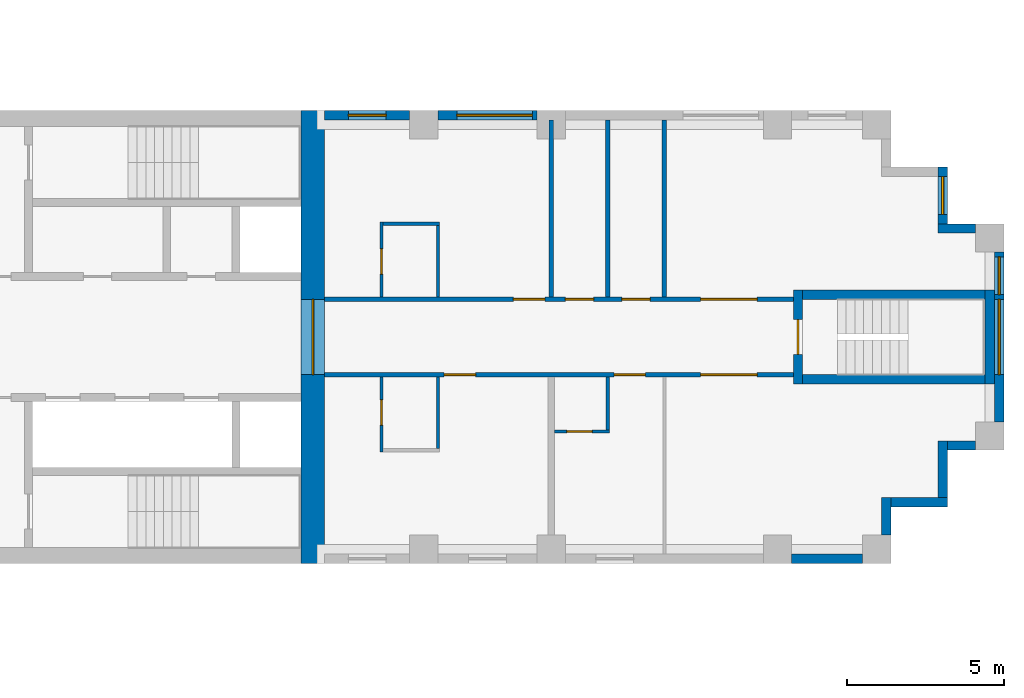
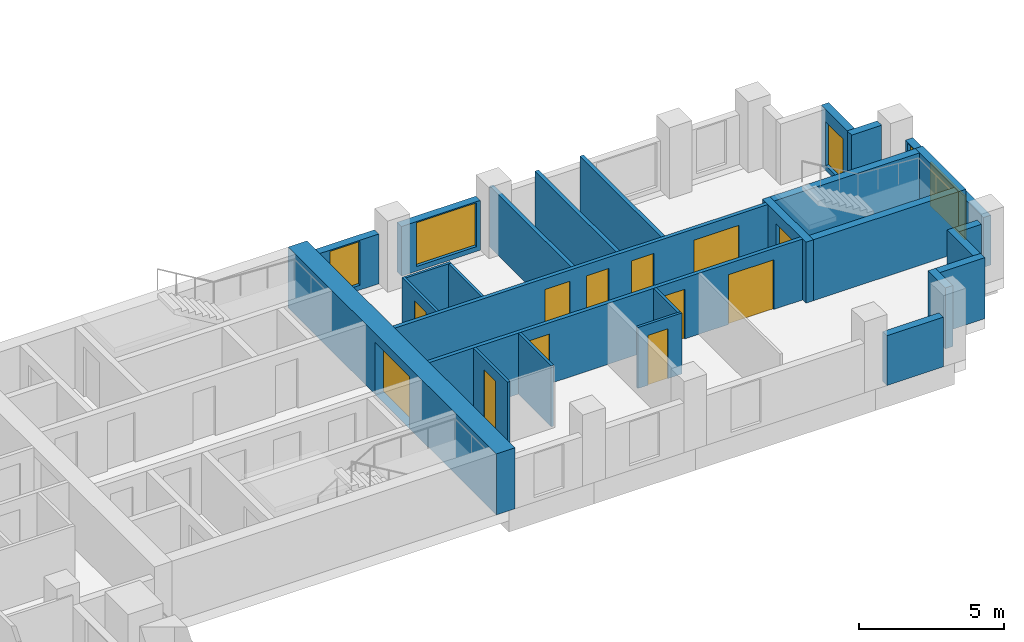
# One storey, part 10 of 15: 27 walls, 12 doors, 5 windows, 17 openings.
"""IFC4 building model written with IfcOpenShell, lengths in metres."""

from ifc_helpers import new_model, si_unit, direction, frame, frame_2d, origin, place, context, subcontext, project, spatial, rectangle, extrude, material, layer, layer_set, type_object, element, fill, save


model = new_model("IFC4")

# Units and contexts
model_context = context("Model", 3, precision=1e-05, world=origin(), true_north=direction((0.0, 1.0)))
body_context = subcontext(model_context, "Body", "Model", "MODEL_VIEW")
ifc_project = project(units=[si_unit("LENGTHUNIT", "METRE"), si_unit("AREAUNIT", "SQUARE_METRE"), si_unit("VOLUMEUNIT", "CUBIC_METRE"), si_unit("PLANEANGLEUNIT", "RADIAN"), si_unit("MASSUNIT", "GRAM", prefix="KILO")], contexts=[model_context])

# Site, building, storey
site_placement = place(None, origin())
site = spatial("IfcSite", under=ifc_project, at=site_placement, CompositionType="ELEMENT")
building_placement = place(site_placement, origin())
building = spatial("IfcBuilding", under=site, at=building_placement, Name="Fustian Cross Tower", CompositionType="ELEMENT")
storey_placement = place(building_placement, frame((0.0, 0.0, 53.699951171875)))
storey = spatial("IfcBuildingStorey", under=building, at=storey_placement, Name="L16", CompositionType="ELEMENT", Elevation=53.699951171875)

# Wall, openings, doors
ifc_material_1 = material(Name="Plasterboard on steel stud", Category="steel")
ifc_layer_1 = layer(ifc_material_1, 0.14990234375)
ifc_layer_set_1 = layer_set([ifc_layer_1], Name="Plasterboard on steel stud")
wall_type_1 = type_object("IfcWallType", Name="COMPARTMENT WALL 150 EI 60", PredefinedType="PARTITIONING", material=ifc_layer_set_1)
wall_1_placement = place(storey_placement, frame((21.60009765625, -1.199951171875, 0.0), z_axis=(0.0, 0.0, 1.0), x_axis=(1.0, 0.0, 0.0)))
wall_1 = element("IfcWall", 1, at=wall_1_placement, inside=storey, type_object=wall_type_1, Name="Partition 88", PredefinedType="PARTITIONING", context=body_context, shape_type="SweptSolid", body=[
    extrude(rectangle(XDim=14.89990234375, YDim=0.14990234375, at=frame_2d((7.449951171875, 0.0))), origin(), (0.0, 0.0, 1.0), 2.574951171875),
])
opening_1_placement = place(wall_1_placement, frame((3.800048828125, 0.0, 0.0)))
opening_1 = element("IfcOpeningElement", 2, at=opening_1_placement, cuts=wall_1, Name="Opening D09018", PredefinedType="OPENING", context=body_context, shape_type="SweptSolid", body=[
    extrude(rectangle(XDim=1.0, YDim=2.10009765625, at=frame_2d((0.5, 1.050048828125))), frame((0.0, 0.0849609375, 0.0), z_axis=(0.0, -1.0, 0.0), x_axis=(1.0, 0.0, 0.0)), (0.0, 0.0, 1.0), 0.169921875),
])
opening_2_placement = place(wall_1_placement, frame((9.199951171875, 0.0, 0.0)))
opening_2 = element("IfcOpeningElement", 3, at=opening_2_placement, cuts=wall_1, Name="Opening D09020", PredefinedType="OPENING", context=body_context, shape_type="SweptSolid", body=[
    extrude(rectangle(XDim=1.0, YDim=2.10009765625, at=frame_2d((0.5, 1.050048828125))), frame((0.0, 0.0849609375, 0.0), z_axis=(0.0, -1.0, 0.0), x_axis=(1.0, 0.0, 0.0)), (0.0, 0.0, 1.0), 0.169921875),
])
opening_3_placement = place(wall_1_placement, frame((11.949951171875, 0.0, 0.0)))
opening_3 = element("IfcOpeningElement", 4, at=opening_3_placement, cuts=wall_1, Name="Opening D09021", PredefinedType="OPENING", context=body_context, shape_type="SweptSolid", body=[
    extrude(rectangle(XDim=1.800048828125, YDim=2.10009765625, at=frame_2d((0.89990234375, 1.050048828125))), frame((0.0, 0.0849609375, 0.0), z_axis=(0.0, -1.0, 0.0), x_axis=(1.0, 0.0, 0.0)), (0.0, 0.0, 1.0), 0.169921875),
])
ifc_material_2 = material(Name="Timber fire door set", Category="wood")
door_type_1 = type_object("IfcDoorType", Name="FIRE DOUBLE DOOR 1800 FD30S", OperationType="DOUBLE_DOOR_DOUBLE_SWING", PredefinedType="DOOR", material=ifc_material_2)
door_1_placement = place(opening_3_placement, origin())
door_1 = element("IfcDoor", 5, at=door_1_placement, inside=storey, type_object=door_type_1, Name="Door D09021", OperationType="DOUBLE_DOOR_DOUBLE_SWING", OverallHeight=2.10009765625, OverallWidth=1.800048828125, PredefinedType="DOOR", context=body_context, shape_type="SweptSolid", body=[
    extrude(rectangle(XDim=1.800048828125, YDim=2.10009765625, at=frame_2d((0.89990234375, 1.050048828125))), frame((0.0, 0.02490234375, 0.0), z_axis=(0.0, -1.0, 0.0), x_axis=(1.0, 0.0, 0.0)), (0.0, 0.0, 1.0), 0.050048828125),
])
fill(opening_3, door_1)
ifc_material_3 = material(Name="Timber fire door set", Category="wood")
door_type_2 = type_object("IfcDoorType", Name="FIRE SWING DOOR 1000 FD30S", OperationType="SINGLE_SWING_LEFT", PredefinedType="DOOR", material=ifc_material_3)
door_2_placement = place(opening_1_placement, frame((1.0, 0.0, 0.0), z_axis=(0.0, 0.0, 1.0), x_axis=(-1.0, 0.0, 0.0)))
door_2 = element("IfcDoor", 6, at=door_2_placement, inside=storey, type_object=door_type_2, Name="Door D09018", OperationType="SINGLE_SWING_RIGHT", OverallHeight=2.10009765625, OverallWidth=1.0, PredefinedType="DOOR", context=body_context, shape_type="SweptSolid", body=[
    extrude(rectangle(XDim=1.0, YDim=2.10009765625, at=frame_2d((0.5, 1.050048828125))), frame((0.0, 0.02490234375, 0.0), z_axis=(0.0, -1.0, 0.0), x_axis=(1.0, 0.0, 0.0)), (0.0, 0.0, 1.0), 0.050048828125),
])
fill(opening_1, door_2)
door_3_placement = place(opening_2_placement, frame((1.0, 0.0, 0.0), z_axis=(0.0, 0.0, 1.0), x_axis=(-1.0, 0.0, 0.0)))
door_3 = element("IfcDoor", 7, at=door_3_placement, inside=storey, type_object=door_type_2, Name="Door D09020", OperationType="SINGLE_SWING_RIGHT", OverallHeight=2.10009765625, OverallWidth=1.0, PredefinedType="DOOR", context=body_context, shape_type="SweptSolid", body=[
    extrude(rectangle(XDim=1.0, YDim=2.10009765625, at=frame_2d((0.5, 1.050048828125))), frame((0.0, 0.02490234375, 0.0), z_axis=(0.0, -1.0, 0.0), x_axis=(1.0, 0.0, 0.0)), (0.0, 0.0, 1.0), 0.050048828125),
])
fill(opening_2, door_3)

wall_2_placement = place(storey_placement, frame((21.60009765625, 1.199951171875, 0.0), z_axis=(0.0, 0.0, 1.0), x_axis=(1.0, 0.0, 0.0)))
wall_2 = element("IfcWall", 8, at=wall_2_placement, inside=storey, type_object=wall_type_1, Name="Partition 89", PredefinedType="PARTITIONING", context=body_context, shape_type="SweptSolid", body=[
    extrude(rectangle(XDim=14.89990234375, YDim=0.14990234375, at=frame_2d((7.449951171875, 0.0))), origin(), (0.0, 0.0, 1.0), 2.574951171875),
])
opening_4_placement = place(wall_2_placement, frame((6.0, 0.0, 0.0)))
opening_4 = element("IfcOpeningElement", 9, at=opening_4_placement, cuts=wall_2, Name="Opening D09013", PredefinedType="OPENING", context=body_context, shape_type="SweptSolid", body=[
    extrude(rectangle(XDim=1.0, YDim=2.10009765625, at=frame_2d((0.5, 1.050048828125))), frame((0.0, 0.0849609375, 0.0), z_axis=(0.0, -1.0, 0.0), x_axis=(1.0, 0.0, 0.0)), (0.0, 0.0, 1.0), 0.169921875),
])
opening_5_placement = place(wall_2_placement, frame((7.64990234375, 0.0, 0.0)))
opening_5 = element("IfcOpeningElement", 10, at=opening_5_placement, cuts=wall_2, Name="Opening D09014", PredefinedType="OPENING", context=body_context, shape_type="SweptSolid", body=[
    extrude(rectangle(XDim=0.89990234375, YDim=2.10009765625, at=frame_2d((0.449951171875, 1.050048828125))), frame((0.0, 0.0849609375, 0.0), z_axis=(0.0, -1.0, 0.0), x_axis=(1.0, 0.0, 0.0)), (0.0, 0.0, 1.0), 0.169921875),
])
opening_6_placement = place(wall_2_placement, frame((9.449951171875, 0.0, 0.0)))
opening_6 = element("IfcOpeningElement", 11, at=opening_6_placement, cuts=wall_2, Name="Opening D09015", PredefinedType="OPENING", context=body_context, shape_type="SweptSolid", body=[
    extrude(rectangle(XDim=0.89990234375, YDim=2.10009765625, at=frame_2d((0.449951171875, 1.050048828125))), frame((0.0, 0.0849609375, 0.0), z_axis=(0.0, -1.0, 0.0), x_axis=(1.0, 0.0, 0.0)), (0.0, 0.0, 1.0), 0.169921875),
])
opening_7_placement = place(wall_2_placement, frame((11.949951171875, 0.0, 0.0)))
opening_7 = element("IfcOpeningElement", 12, at=opening_7_placement, cuts=wall_2, Name="Opening D09016", PredefinedType="OPENING", context=body_context, shape_type="SweptSolid", body=[
    extrude(rectangle(XDim=1.800048828125, YDim=2.10009765625, at=frame_2d((0.89990234375, 1.050048828125))), frame((0.0, 0.0849609375, 0.0), z_axis=(0.0, -1.0, 0.0), x_axis=(1.0, 0.0, 0.0)), (0.0, 0.0, 1.0), 0.169921875),
])
door_4_placement = place(opening_7_placement, frame((1.800048828125, 0.0, 0.0), z_axis=(0.0, 0.0, 1.0), x_axis=(-1.0, 0.0, 0.0)))
door_4 = element("IfcDoor", 13, at=door_4_placement, inside=storey, type_object=door_type_1, Name="Door D09016", OperationType="DOUBLE_DOOR_DOUBLE_SWING", OverallHeight=2.10009765625, OverallWidth=1.800048828125, PredefinedType="DOOR", context=body_context, shape_type="SweptSolid", body=[
    extrude(rectangle(XDim=1.800048828125, YDim=2.10009765625, at=frame_2d((0.89990234375, 1.050048828125))), frame((0.0, 0.02490234375, 0.0), z_axis=(0.0, -1.0, 0.0), x_axis=(1.0, 0.0, 0.0)), (0.0, 0.0, 1.0), 0.050048828125),
])
fill(opening_7, door_4)
door_5_placement = place(opening_4_placement, origin())
door_5 = element("IfcDoor", 14, at=door_5_placement, inside=storey, type_object=door_type_2, Name="Door D09013", OperationType="SINGLE_SWING_RIGHT", OverallHeight=2.10009765625, OverallWidth=1.0, PredefinedType="DOOR", context=body_context, shape_type="SweptSolid", body=[
    extrude(rectangle(XDim=1.0, YDim=2.10009765625, at=frame_2d((0.5, 1.050048828125))), frame((0.0, 0.02490234375, 0.0), z_axis=(0.0, -1.0, 0.0), x_axis=(1.0, 0.0, 0.0)), (0.0, 0.0, 1.0), 0.050048828125),
])
fill(opening_4, door_5)
ifc_material_4 = material(Name="Timber fire door set", Category="wood")
door_type_3 = type_object("IfcDoorType", Name="FIRE SWING DOOR 900 FD30S", OperationType="SINGLE_SWING_LEFT", PredefinedType="DOOR", material=ifc_material_4)
door_6_placement = place(opening_5_placement, origin())
door_6 = element("IfcDoor", 15, at=door_6_placement, inside=storey, type_object=door_type_3, Name="Door D09014", OperationType="SINGLE_SWING_RIGHT", OverallHeight=2.10009765625, OverallWidth=0.89990234375, PredefinedType="DOOR", context=body_context, shape_type="SweptSolid", body=[
    extrude(rectangle(XDim=0.89990234375, YDim=2.10009765625, at=frame_2d((0.449951171875, 1.050048828125))), frame((0.0, 0.02490234375, 0.0), z_axis=(0.0, -1.0, 0.0), x_axis=(1.0, 0.0, 0.0)), (0.0, 0.0, 1.0), 0.050048828125),
])
fill(opening_5, door_6)
door_7_placement = place(opening_6_placement, frame((0.89990234375, 0.0, 0.0), z_axis=(0.0, 0.0, 1.0), x_axis=(-1.0, 0.0, 0.0)))
door_7 = element("IfcDoor", 16, at=door_7_placement, inside=storey, type_object=door_type_3, Name="Door D09015", OperationType="SINGLE_SWING_LEFT", OverallHeight=2.10009765625, OverallWidth=0.89990234375, PredefinedType="DOOR", context=body_context, shape_type="SweptSolid", body=[
    extrude(rectangle(XDim=0.89990234375, YDim=2.10009765625, at=frame_2d((0.449951171875, 1.050048828125))), frame((0.0, 0.02490234375, 0.0), z_axis=(0.0, -1.0, 0.0), x_axis=(1.0, 0.0, 0.0)), (0.0, 0.0, 1.0), 0.050048828125),
])
fill(opening_6, door_7)

# Walls
for number, where, z_axis, x_axis, name in (
    (17, (28.800048828125, 1.27490234375, 0.0), (0.0, 0.0, 1.0), (0.0, 1.0, 0.0), "Partition 98"),
    (18, (30.60009765625, 1.27490234375, 0.0), (0.0, 0.0, 1.0), (0.0, 1.0, 0.0), "Partition 100"),
    (19, (32.39990234375, 1.27490234375, 0.0), (0.0, 0.0, 1.0), (0.0, 1.0, 0.0), "Partition 102"),
):
    element("IfcWall", number, at=place(storey_placement, frame(where, z_axis=z_axis, x_axis=x_axis)), inside=storey, type_object=wall_type_1, Name=name, PredefinedType="PARTITIONING", context=body_context, shape_type="SweptSolid", body=[
        extrude(rectangle(XDim=5.625, YDim=0.14990234375, at=frame_2d((2.8125, 0.0))), origin(), (0.0, 0.0, 1.0), 2.574951171875),
    ])

# Wall, opening, door
ifc_material_5 = material(Name="Concrete C80/95", Category="concrete")
ifc_layer_2 = layer(ifc_material_5, 0.75)
ifc_layer_set_2 = layer_set([ifc_layer_2], Name="Concrete C80/95")
wall_type_2 = type_object("IfcWallType", Name="CORE END WALL 750 C80/95", PredefinedType="SHEAR", material=ifc_layer_set_2)
wall_3_placement = place(storey_placement, frame((21.22509765625, -7.199951171875, 0.0), z_axis=(0.0, 0.0, 1.0), x_axis=(0.0, 1.0, 0.0)))
wall_3 = element("IfcWall", 20, at=wall_3_placement, inside=storey, type_object=wall_type_2, Name="Core end wall", PredefinedType="SHEAR", context=body_context, shape_type="SweptSolid", body=[
    extrude(rectangle(XDim=14.39990234375, YDim=0.75, at=frame_2d((7.199951171875, 0.0))), origin(), (0.0, 0.0, 1.0), 2.574951171875),
])
opening_8_placement = place(wall_3_placement, frame((6.0, 0.0, 0.0)))
opening_8 = element("IfcOpeningElement", 21, at=opening_8_placement, cuts=wall_3, Name="Opening CD-06-13", PredefinedType="OPENING", context=body_context, shape_type="SweptSolid", body=[
    extrude(rectangle(XDim=2.39990234375, YDim=2.199951171875, at=frame_2d((1.199951171875, 1.10009765625))), frame((0.0, 0.385009765625, 0.0), z_axis=(0.0, -1.0, 0.0), x_axis=(1.0, 0.0, 0.0)), (0.0, 0.0, 1.0), 0.77001953125),
])
ifc_material_6 = material(Name="Steel", Category="steel")
door_type_4 = type_object("IfcDoorType", Name="FIRE DOOR FD30S DOUBLE 2400X2200", OperationType="DOUBLE_DOOR_DOUBLE_SWING", PredefinedType="DOOR", material=ifc_material_6)
door_8_placement = place(opening_8_placement, origin())
door_8 = element("IfcDoor", 22, at=door_8_placement, inside=storey, type_object=door_type_4, Name="Core door CD-06-13", OperationType="DOUBLE_DOOR_DOUBLE_SWING", OverallHeight=2.199951171875, OverallWidth=2.39990234375, PredefinedType="DOOR", context=body_context, shape_type="SweptSolid", body=[
    extrude(rectangle(XDim=2.39990234375, YDim=2.199951171875, at=frame_2d((1.199951171875, 1.10009765625))), frame((0.0, 0.02490234375, 0.0), z_axis=(0.0, -1.0, 0.0), x_axis=(1.0, 0.0, 0.0)), (0.0, 0.0, 1.0), 0.050048828125),
])
fill(opening_8, door_8)

ifc_material_7 = material(Name="Plasterboard on steel stud", Category="steel")
ifc_layer_3 = layer(ifc_material_7, 0.10009765625)
ifc_layer_set_3 = layer_set([ifc_layer_3], Name="Plasterboard on steel stud")
wall_type_3 = type_object("IfcWallType", Name="PARTITION 100 STUD", PredefinedType="PARTITIONING", material=ifc_layer_set_3)
wall_4_placement = place(storey_placement, frame((23.39990234375, -3.64990234375, 0.0), z_axis=(0.0, 0.0, 1.0), x_axis=(0.0, 1.0, 0.0)))
wall_4 = element("IfcWall", 23, at=wall_4_placement, inside=storey, type_object=wall_type_3, Name="Partition 90", PredefinedType="PARTITIONING", context=body_context, shape_type="SweptSolid", body=[
    extrude(rectangle(XDim=2.375, YDim=0.10009765625, at=frame_2d((1.1875, 0.0))), origin(), (0.0, 0.0, 1.0), 2.574951171875),
])
opening_9_placement = place(wall_4_placement, frame((0.85009765625, 0.0, 0.0)))
opening_9 = element("IfcOpeningElement", 24, at=opening_9_placement, cuts=wall_4, Name="Opening D09017", PredefinedType="OPENING", context=body_context, shape_type="SweptSolid", body=[
    extrude(rectangle(XDim=0.800048828125, YDim=2.10009765625, at=frame_2d((0.39990234375, 1.050048828125))), frame((0.0, 0.06005859375, 0.0), z_axis=(0.0, -1.0, 0.0), x_axis=(1.0, 0.0, 0.0)), (0.0, 0.0, 1.0), 0.1201171875),
])
ifc_material_8 = material(Name="Painted timber", Category="wood")
door_type_5 = type_object("IfcDoorType", Name="SWING DOOR 800", OperationType="SINGLE_SWING_LEFT", PredefinedType="DOOR", material=ifc_material_8)
door_9_placement = place(opening_9_placement, frame((0.800048828125, 0.0, 0.0), z_axis=(0.0, 0.0, 1.0), x_axis=(-1.0, 0.0, 0.0)))
door_9 = element("IfcDoor", 25, at=door_9_placement, inside=storey, type_object=door_type_5, Name="Door D09017", OperationType="SINGLE_SWING_RIGHT", OverallHeight=2.10009765625, OverallWidth=0.800048828125, PredefinedType="DOOR", context=body_context, shape_type="SweptSolid", body=[
    extrude(rectangle(XDim=0.800048828125, YDim=2.10009765625, at=frame_2d((0.39990234375, 1.050048828125))), frame((0.0, 0.02490234375, 0.0), z_axis=(0.0, -1.0, 0.0), x_axis=(1.0, 0.0, 0.0)), (0.0, 0.0, 1.0), 0.050048828125),
])
fill(opening_9, door_9)

wall_5_placement = place(storey_placement, frame((23.39990234375, 1.27490234375, 0.0), z_axis=(0.0, 0.0, 1.0), x_axis=(0.0, 1.0, 0.0)))
wall_5 = element("IfcWall", 26, at=wall_5_placement, inside=storey, type_object=wall_type_3, Name="Partition 92", PredefinedType="PARTITIONING", context=body_context, shape_type="SweptSolid", body=[
    extrude(rectangle(XDim=2.375, YDim=0.10009765625, at=frame_2d((1.1875, 0.0))), origin(), (0.0, 0.0, 1.0), 2.574951171875),
])
opening_10_placement = place(wall_5_placement, frame((0.72509765625, 0.0, 0.0)))
opening_10 = element("IfcOpeningElement", 27, at=opening_10_placement, cuts=wall_5, Name="Opening D09012", PredefinedType="OPENING", context=body_context, shape_type="SweptSolid", body=[
    extrude(rectangle(XDim=0.800048828125, YDim=2.10009765625, at=frame_2d((0.39990234375, 1.050048828125))), frame((0.0, 0.06005859375, 0.0), z_axis=(0.0, -1.0, 0.0), x_axis=(1.0, 0.0, 0.0)), (0.0, 0.0, 1.0), 0.1201171875),
])
door_10_placement = place(opening_10_placement, frame((0.800048828125, 0.0, 0.0), z_axis=(0.0, 0.0, 1.0), x_axis=(-1.0, 0.0, 0.0)))
door_10 = element("IfcDoor", 28, at=door_10_placement, inside=storey, type_object=door_type_5, Name="Door D09012", OperationType="SINGLE_SWING_RIGHT", OverallHeight=2.10009765625, OverallWidth=0.800048828125, PredefinedType="DOOR", context=body_context, shape_type="SweptSolid", body=[
    extrude(rectangle(XDim=0.800048828125, YDim=2.10009765625, at=frame_2d((0.39990234375, 1.050048828125))), frame((0.0, 0.02490234375, 0.0), z_axis=(0.0, -1.0, 0.0), x_axis=(1.0, 0.0, 0.0)), (0.0, 0.0, 1.0), 0.050048828125),
])
fill(opening_10, door_10)

# Walls
wall_6_placement = place(storey_placement, frame((23.449951171875, 3.60009765625, 0.0), z_axis=(0.0, 0.0, 1.0), x_axis=(1.0, 0.0, 0.0)))
element("IfcWall", 29, at=wall_6_placement, inside=storey, type_object=wall_type_3, Name="Partition 93", PredefinedType="PARTITIONING", context=body_context, shape_type="SweptSolid", body=[
    extrude(rectangle(XDim=1.800048828125, YDim=0.10009765625, at=frame_2d((0.89990234375, 0.0))), origin(), (0.0, 0.0, 1.0), 2.574951171875),
])
for number, where, z_axis, x_axis, name in (
    (30, (25.199951171875, -3.550048828125, 0.0), (0.0, 0.0, 1.0), (0.0, 1.0, 0.0), "Partition 94"),
    (31, (25.199951171875, 1.27490234375, 0.0), (0.0, 0.0, 1.0), (0.0, 1.0, 0.0), "Partition 95"),
):
    element("IfcWall", number, at=place(storey_placement, frame(where, z_axis=z_axis, x_axis=x_axis)), inside=storey, type_object=wall_type_3, Name=name, PredefinedType="PARTITIONING", context=body_context, shape_type="SweptSolid", body=[
        extrude(rectangle(XDim=2.275146484375, YDim=0.10009765625, at=frame_2d((1.1376953125, 0.0))), origin(), (0.0, 0.0, 1.0), 2.574951171875),
    ])

# Wall, opening, door
wall_7_placement = place(storey_placement, frame((28.89990234375, -3.0, 0.0), z_axis=(0.0, 0.0, 1.0), x_axis=(1.0, 0.0, 0.0)))
wall_7 = element("IfcWall", 32, at=wall_7_placement, inside=storey, type_object=wall_type_3, Name="Partition 97", PredefinedType="PARTITIONING", context=body_context, shape_type="SweptSolid", body=[
    extrude(rectangle(XDim=1.75, YDim=0.10009765625, at=frame_2d((0.875, 0.0))), origin(), (0.0, 0.0, 1.0), 2.574951171875),
])
opening_11_placement = place(wall_7_placement, frame((0.39990234375, 0.0, 0.0)))
opening_11 = element("IfcOpeningElement", 33, at=opening_11_placement, cuts=wall_7, Name="Opening D09019", PredefinedType="OPENING", context=body_context, shape_type="SweptSolid", body=[
    extrude(rectangle(XDim=0.800048828125, YDim=2.10009765625, at=frame_2d((0.39990234375, 1.050048828125))), frame((0.0, 0.06005859375, 0.0), z_axis=(0.0, -1.0, 0.0), x_axis=(1.0, 0.0, 0.0)), (0.0, 0.0, 1.0), 0.1201171875),
])
door_11_placement = place(opening_11_placement, origin())
door_11 = element("IfcDoor", 34, at=door_11_placement, inside=storey, type_object=door_type_5, Name="Door D09019", OperationType="SINGLE_SWING_RIGHT", OverallHeight=2.10009765625, OverallWidth=0.800048828125, PredefinedType="DOOR", context=body_context, shape_type="SweptSolid", body=[
    extrude(rectangle(XDim=0.800048828125, YDim=2.10009765625, at=frame_2d((0.39990234375, 1.050048828125))), frame((0.0, 0.02490234375, 0.0), z_axis=(0.0, -1.0, 0.0), x_axis=(1.0, 0.0, 0.0)), (0.0, 0.0, 1.0), 0.050048828125),
])
fill(opening_11, door_11)

# Wall
wall_8_placement = place(storey_placement, frame((30.60009765625, -2.949951171875, 0.0), z_axis=(0.0, 0.0, 1.0), x_axis=(0.0, 1.0, 0.0)))
element("IfcWall", 35, at=wall_8_placement, inside=storey, type_object=wall_type_3, Name="Partition 99", PredefinedType="PARTITIONING", context=body_context, shape_type="SweptSolid", body=[
    extrude(rectangle(XDim=1.675048828125, YDim=0.10009765625, at=frame_2d((0.83740234375, 0.0))), origin(), (0.0, 0.0, 1.0), 2.574951171875),
])

# Wall, opening, door
ifc_material_9 = material(Name="Concrete C50/60", Category="concrete")
ifc_layer_4 = layer(ifc_material_9, 0.300048828125)
ifc_layer_set_4 = layer_set([ifc_layer_4], Name="Concrete C50/60")
wall_type_4 = type_object("IfcWallType", Name="STAIR ENCLOSURE WALL 300 C50/60", PredefinedType="SHEAR", material=ifc_layer_set_4)
wall_9_placement = place(storey_placement, frame((36.64990234375, -1.5, 0.0), z_axis=(0.0, 0.0, 1.0), x_axis=(0.0, 1.0, 0.0)))
wall_9 = element("IfcWall", 36, at=wall_9_placement, inside=storey, type_object=wall_type_4, Name="Stair enclosure wall", PredefinedType="SHEAR", context=body_context, shape_type="SweptSolid", body=[
    extrude(rectangle(XDim=3.0, YDim=0.300048828125, at=frame_2d((1.5, 0.0))), origin(), (0.0, 0.0, 1.0), 2.574951171875),
])
opening_12_placement = place(wall_9_placement, frame((0.949951171875, 0.0, 0.0)))
opening_12 = element("IfcOpeningElement", 37, at=opening_12_placement, cuts=wall_9, Name="Opening CD-06-33", PredefinedType="OPENING", context=body_context, shape_type="SweptSolid", body=[
    extrude(rectangle(XDim=1.10009765625, YDim=2.10009765625, at=frame_2d((0.550048828125, 1.050048828125))), frame((0.0, 0.159912109375, 0.0), z_axis=(0.0, -1.0, 0.0), x_axis=(1.0, 0.0, 0.0)), (0.0, 0.0, 1.0), 0.320068359375),
])
ifc_material_10 = material(Name="Steel", Category="steel")
door_type_6 = type_object("IfcDoorType", Name="FIRE DOOR FD60S 1100X2100", OperationType="SINGLE_SWING_LEFT", PredefinedType="DOOR", material=ifc_material_10)
door_12_placement = place(opening_12_placement, frame((1.10009765625, 0.0, 0.0), z_axis=(0.0, 0.0, 1.0), x_axis=(-1.0, 0.0, 0.0)))
door_12 = element("IfcDoor", 38, at=door_12_placement, inside=storey, type_object=door_type_6, Name="Core door CD-06-33", OperationType="SINGLE_SWING_RIGHT", OverallHeight=2.10009765625, OverallWidth=1.10009765625, PredefinedType="DOOR", context=body_context, shape_type="SweptSolid", body=[
    extrude(rectangle(XDim=1.10009765625, YDim=2.10009765625, at=frame_2d((0.550048828125, 1.050048828125))), frame((0.0, 0.02490234375, 0.0), z_axis=(0.0, -1.0, 0.0), x_axis=(1.0, 0.0, 0.0)), (0.0, 0.0, 1.0), 0.050048828125),
])
fill(opening_12, door_12)

# Walls
wall_10_placement = place(storey_placement, frame((42.75, -1.5, 0.0), z_axis=(0.0, 0.0, 1.0), x_axis=(0.0, 1.0, 0.0)))
element("IfcWall", 39, at=wall_10_placement, inside=storey, type_object=wall_type_4, Name="Stair enclosure wall", PredefinedType="SHEAR", context=body_context, shape_type="SweptSolid", body=[
    extrude(rectangle(XDim=3.0, YDim=0.300048828125, at=frame_2d((1.5, 0.0))), origin(), (0.0, 0.0, 1.0), 2.574951171875),
])
for number, where, z_axis, x_axis, name in (
    (40, (36.800048828125, -1.35009765625, 0.0), (0.0, 0.0, 1.0), (1.0, 0.0, 0.0), "Stair enclosure wall"),
    (41, (36.800048828125, 1.35009765625, 0.0), (0.0, 0.0, 1.0), (1.0, 0.0, 0.0), "Stair enclosure wall"),
):
    element("IfcWall", number, at=place(storey_placement, frame(where, z_axis=z_axis, x_axis=x_axis)), inside=storey, type_object=wall_type_4, Name=name, PredefinedType="SHEAR", context=body_context, shape_type="SweptSolid", body=[
        extrude(rectangle(XDim=5.800048828125, YDim=0.300048828125, at=frame_2d((2.89990234375, 0.0))), origin(), (0.0, 0.0, 1.0), 2.574951171875),
    ])
ifc_material_11 = material(Name="Dark aluminium cladding on insulated backing wall", Category="aluminium")
ifc_layer_5 = layer(ifc_material_11, 0.300048828125)
ifc_layer_set_5 = layer_set([ifc_layer_5], Name="Dark aluminium cladding on insulated backing wall")
wall_type_5 = type_object("IfcWallType", Name="XW1 EXTERNAL WALL 300", PredefinedType="SOLIDWALL", material=ifc_layer_set_5)
wall_11_placement = place(storey_placement, frame((36.449951171875, -7.050048828125, 0.0), z_axis=(0.0, 0.0, 1.0), x_axis=(1.0, 0.0, 0.0)))
element("IfcWall", 42, at=wall_11_placement, inside=storey, type_object=wall_type_5, Name="External wall", PredefinedType="SOLIDWALL", context=body_context, shape_type="SweptSolid", body=[
    extrude(rectangle(XDim=2.25, YDim=0.300048828125, at=frame_2d((1.125, 0.0))), origin(), (0.0, 0.0, 1.0), 2.10009765625),
])
wall_12_placement = place(storey_placement, frame((39.449951171875, -6.300048828125, 0.0), z_axis=(0.0, 0.0, 1.0), x_axis=(0.0, 1.0, 0.0)))
element("IfcWall", 43, at=wall_12_placement, inside=storey, type_object=wall_type_5, Name="External wall", PredefinedType="SOLIDWALL", context=body_context, shape_type="SweptSolid", body=[
    extrude(rectangle(XDim=1.199951171875, YDim=0.300048828125, at=frame_2d((0.60009765625, 0.0))), origin(), (0.0, 0.0, 1.0), 2.574951171875),
])
wall_13_placement = place(storey_placement, frame((39.60009765625, -5.25, 0.0), z_axis=(0.0, 0.0, 1.0), x_axis=(1.0, 0.0, 0.0)))
element("IfcWall", 44, at=wall_13_placement, inside=storey, type_object=wall_type_5, Name="External wall", PredefinedType="SOLIDWALL", context=body_context, shape_type="SweptSolid", body=[
    extrude(rectangle(XDim=1.7998046875, YDim=0.300048828125, at=frame_2d((0.89990234375, 0.0))), origin(), (0.0, 0.0, 1.0), 2.574951171875),
])
wall_14_placement = place(storey_placement, frame((41.25, -5.10009765625, 0.0), z_axis=(0.0, 0.0, 1.0), x_axis=(0.0, 1.0, 0.0)))
element("IfcWall", 45, at=wall_14_placement, inside=storey, type_object=wall_type_5, Name="External wall", PredefinedType="SOLIDWALL", context=body_context, shape_type="SweptSolid", body=[
    extrude(rectangle(XDim=1.800048828125, YDim=0.300048828125, at=frame_2d((0.89990234375, 0.0))), origin(), (0.0, 0.0, 1.0), 2.574951171875),
])
wall_15_placement = place(storey_placement, frame((41.39990234375, -3.449951171875, 0.0), z_axis=(0.0, 0.0, 1.0), x_axis=(1.0, 0.0, 0.0)))
element("IfcWall", 46, at=wall_15_placement, inside=storey, type_object=wall_type_5, Name="External wall", PredefinedType="SOLIDWALL", context=body_context, shape_type="SweptSolid", body=[
    extrude(rectangle(XDim=0.900146484375, YDim=0.300048828125, at=frame_2d((0.4501953125, 0.0))), origin(), (0.0, 0.0, 1.0), 2.574951171875),
])

# Wall, openings, windows
wall_16_placement = place(storey_placement, frame((43.050048828125, -2.699951171875, 0.0), z_axis=(0.0, 0.0, 1.0), x_axis=(0.0, 1.0, 0.0)))
wall_16 = element("IfcWall", 47, at=wall_16_placement, inside=storey, type_object=wall_type_5, Name="External wall", PredefinedType="SOLIDWALL", context=body_context, shape_type="SweptSolid", body=[
    extrude(rectangle(XDim=5.39990234375, YDim=0.300048828125, at=frame_2d((2.699951171875, 0.0))), origin(), (0.0, 0.0, 1.0), 2.10009765625),
])
opening_13_placement = place(wall_16_placement, frame((1.5, 0.0, 0.199951171875)))
opening_13 = element("IfcOpeningElement", 48, at=opening_13_placement, cuts=wall_16, Name="Opening WN1", PredefinedType="OPENING", context=body_context, shape_type="SweptSolid", body=[
    extrude(rectangle(XDim=2.39990234375, YDim=1.85009765625, at=frame_2d((1.199951171875, 0.925048828125))), frame((0.0, 0.159912109375, 0.0), z_axis=(0.0, -1.0, 0.0), x_axis=(1.0, 0.0, 0.0)), (0.0, 0.0, 1.0), 0.320068359375),
])
opening_14_placement = place(wall_16_placement, frame((4.050048828125, 0.0, 0.199951171875)))
opening_14 = element("IfcOpeningElement", 49, at=opening_14_placement, cuts=wall_16, Name="Opening WN3", PredefinedType="OPENING", context=body_context, shape_type="SweptSolid", body=[
    extrude(rectangle(XDim=1.199951171875, YDim=1.85009765625, at=frame_2d((0.60009765625, 0.925048828125))), frame((0.0, 0.159912109375, 0.0), z_axis=(0.0, -1.0, 0.0), x_axis=(1.0, 0.0, 0.0)), (0.0, 0.0, 1.0), 0.320068359375),
])
ifc_material_12 = material(Name="Dark anodised aluminium and double glazing", Category="aluminium")
window_type_1 = type_object("IfcWindowType", Name="WN1 WINDOW 2400X1850", PartitioningType="SINGLE_PANEL", PredefinedType="WINDOW", material=ifc_material_12)
window_1_placement = place(opening_13_placement, origin())
window_1 = element("IfcWindow", 50, at=window_1_placement, inside=storey, type_object=window_type_1, Name="Window", OverallHeight=1.85009765625, OverallWidth=2.39990234375, PartitioningType="SINGLE_PANEL", PredefinedType="WINDOW", context=body_context, shape_type="SweptSolid", body=[
    extrude(rectangle(XDim=2.39990234375, YDim=1.85009765625, at=frame_2d((1.199951171875, 0.925048828125))), frame((0.0, 0.030029296875, 0.0), z_axis=(0.0, -1.0, 0.0), x_axis=(1.0, 0.0, 0.0)), (0.0, 0.0, 1.0), 0.06005859375),
])
fill(opening_13, window_1)
ifc_material_13 = material(Name="Dark anodised aluminium and double glazing", Category="aluminium")
window_type_2 = type_object("IfcWindowType", Name="WN3 WINDOW 1200X1850", PartitioningType="SINGLE_PANEL", PredefinedType="WINDOW", material=ifc_material_13)
window_2_placement = place(opening_14_placement, origin())
window_2 = element("IfcWindow", 51, at=window_2_placement, inside=storey, type_object=window_type_2, Name="Window", OverallHeight=1.85009765625, OverallWidth=1.199951171875, PartitioningType="SINGLE_PANEL", PredefinedType="WINDOW", context=body_context, shape_type="SweptSolid", body=[
    extrude(rectangle(XDim=1.199951171875, YDim=1.85009765625, at=frame_2d((0.60009765625, 0.925048828125))), frame((0.0, 0.030029296875, 0.0), z_axis=(0.0, -1.0, 0.0), x_axis=(1.0, 0.0, 0.0)), (0.0, 0.0, 1.0), 0.06005859375),
])
fill(opening_14, window_2)

# Wall
wall_17_placement = place(storey_placement, frame((42.300048828125, 3.449951171875, 0.0), z_axis=(0.0, 0.0, 1.0), x_axis=(-1.0, 0.0, 0.0)))
element("IfcWall", 52, at=wall_17_placement, inside=storey, type_object=wall_type_5, Name="External wall", PredefinedType="SOLIDWALL", context=body_context, shape_type="SweptSolid", body=[
    extrude(rectangle(XDim=1.199951171875, YDim=0.300048828125, at=frame_2d((0.60009765625, 0.0))), origin(), (0.0, 0.0, 1.0), 2.574951171875),
])

# Wall, opening, window
wall_18_placement = place(storey_placement, frame((41.25, 3.60009765625, 0.0), z_axis=(0.0, 0.0, 1.0), x_axis=(0.0, 1.0, 0.0)))
wall_18 = element("IfcWall", 53, at=wall_18_placement, inside=storey, type_object=wall_type_5, Name="External wall", PredefinedType="SOLIDWALL", context=body_context, shape_type="SweptSolid", body=[
    extrude(rectangle(XDim=1.7998046875, YDim=0.300048828125, at=frame_2d((0.89990234375, 0.0))), origin(), (0.0, 0.0, 1.0), 2.574951171875),
])
opening_15_placement = place(wall_18_placement, frame((0.300048828125, 0.0, 0.199951171875)))
opening_15 = element("IfcOpeningElement", 54, at=opening_15_placement, cuts=wall_18, Name="Opening WN3", PredefinedType="OPENING", context=body_context, shape_type="SweptSolid", body=[
    extrude(rectangle(XDim=1.199951171875, YDim=1.85009765625, at=frame_2d((0.60009765625, 0.925048828125))), frame((0.0, 0.159912109375, 0.0), z_axis=(0.0, -1.0, 0.0), x_axis=(1.0, 0.0, 0.0)), (0.0, 0.0, 1.0), 0.320068359375),
])
window_3_placement = place(opening_15_placement, origin())
window_3 = element("IfcWindow", 55, at=window_3_placement, inside=storey, type_object=window_type_2, Name="Window", OverallHeight=1.85009765625, OverallWidth=1.199951171875, PartitioningType="SINGLE_PANEL", PredefinedType="WINDOW", context=body_context, shape_type="SweptSolid", body=[
    extrude(rectangle(XDim=1.199951171875, YDim=1.85009765625, at=frame_2d((0.60009765625, 0.925048828125))), frame((0.0, 0.030029296875, 0.0), z_axis=(0.0, -1.0, 0.0), x_axis=(1.0, 0.0, 0.0)), (0.0, 0.0, 1.0), 0.06005859375),
])
fill(opening_15, window_3)

wall_19_placement = place(storey_placement, frame((28.35009765625, 7.050048828125, 0.0), z_axis=(0.0, 0.0, 1.0), x_axis=(-1.0, 0.0, 0.0)))
wall_19 = element("IfcWall", 56, at=wall_19_placement, inside=storey, type_object=wall_type_5, Name="External wall", PredefinedType="SOLIDWALL", context=body_context, shape_type="SweptSolid", body=[
    extrude(rectangle(XDim=3.150146484375, YDim=0.300048828125, at=frame_2d((1.5751953125, 0.0))), origin(), (0.0, 0.0, 1.0), 2.10009765625),
])
opening_16_placement = place(wall_19_placement, frame((0.14990234375, 0.0, 0.199951171875)))
opening_16 = element("IfcOpeningElement", 57, at=opening_16_placement, cuts=wall_19, Name="Opening WN1", PredefinedType="OPENING", context=body_context, shape_type="SweptSolid", body=[
    extrude(rectangle(XDim=2.39990234375, YDim=1.85009765625, at=frame_2d((1.199951171875, 0.925048828125))), frame((0.0, 0.159912109375, 0.0), z_axis=(0.0, -1.0, 0.0), x_axis=(1.0, 0.0, 0.0)), (0.0, 0.0, 1.0), 0.320068359375),
])
window_4_placement = place(opening_16_placement, origin())
window_4 = element("IfcWindow", 58, at=window_4_placement, inside=storey, type_object=window_type_1, Name="Window", OverallHeight=1.85009765625, OverallWidth=2.39990234375, PartitioningType="SINGLE_PANEL", PredefinedType="WINDOW", context=body_context, shape_type="SweptSolid", body=[
    extrude(rectangle(XDim=2.39990234375, YDim=1.85009765625, at=frame_2d((1.199951171875, 0.925048828125))), frame((0.0, 0.030029296875, 0.0), z_axis=(0.0, -1.0, 0.0), x_axis=(1.0, 0.0, 0.0)), (0.0, 0.0, 1.0), 0.06005859375),
])
fill(opening_16, window_4)

wall_20_placement = place(storey_placement, frame((24.300048828125, 7.050048828125, 0.0), z_axis=(0.0, 0.0, 1.0), x_axis=(-1.0, 0.0, 0.0)))
wall_20 = element("IfcWall", 59, at=wall_20_placement, inside=storey, type_object=wall_type_5, Name="External wall", PredefinedType="SOLIDWALL", context=body_context, shape_type="SweptSolid", body=[
    extrude(rectangle(XDim=2.699951171875, YDim=0.300048828125, at=frame_2d((1.35009765625, 0.0))), origin(), (0.0, 0.0, 1.0), 2.10009765625),
])
opening_17_placement = place(wall_20_placement, frame((0.75, 0.0, 0.199951171875)))
opening_17 = element("IfcOpeningElement", 60, at=opening_17_placement, cuts=wall_20, Name="Opening WN3", PredefinedType="OPENING", context=body_context, shape_type="SweptSolid", body=[
    extrude(rectangle(XDim=1.199951171875, YDim=1.85009765625, at=frame_2d((0.60009765625, 0.925048828125))), frame((0.0, 0.159912109375, 0.0), z_axis=(0.0, -1.0, 0.0), x_axis=(1.0, 0.0, 0.0)), (0.0, 0.0, 1.0), 0.320068359375),
])
window_5_placement = place(opening_17_placement, origin())
window_5 = element("IfcWindow", 61, at=window_5_placement, inside=storey, type_object=window_type_2, Name="Window", OverallHeight=1.85009765625, OverallWidth=1.199951171875, PartitioningType="SINGLE_PANEL", PredefinedType="WINDOW", context=body_context, shape_type="SweptSolid", body=[
    extrude(rectangle(XDim=1.199951171875, YDim=1.85009765625, at=frame_2d((0.60009765625, 0.925048828125))), frame((0.0, 0.030029296875, 0.0), z_axis=(0.0, -1.0, 0.0), x_axis=(1.0, 0.0, 0.0)), (0.0, 0.0, 1.0), 0.06005859375),
])
fill(opening_17, window_5)

save(model, "model.ifc")
